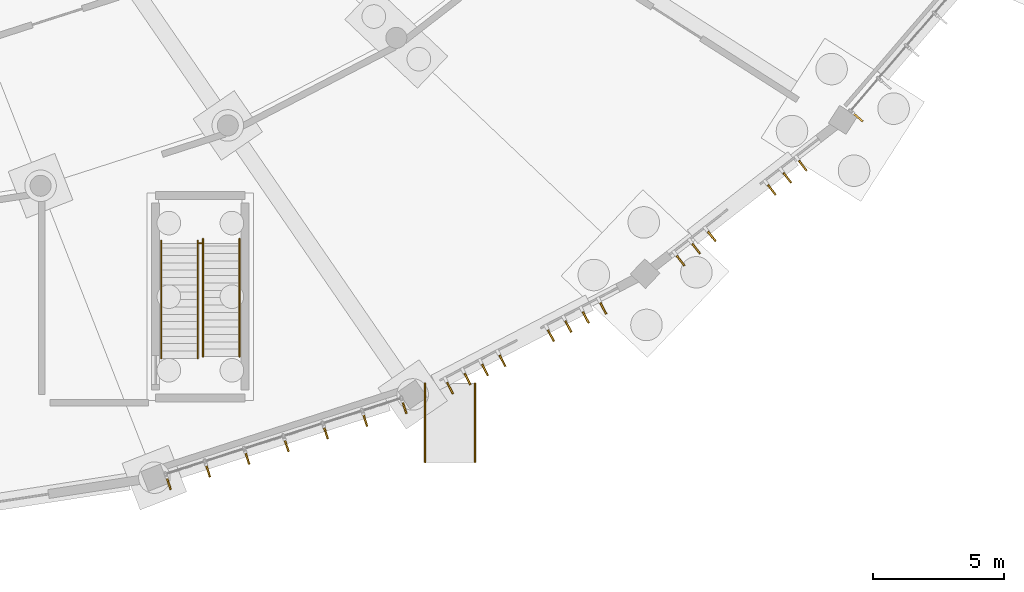
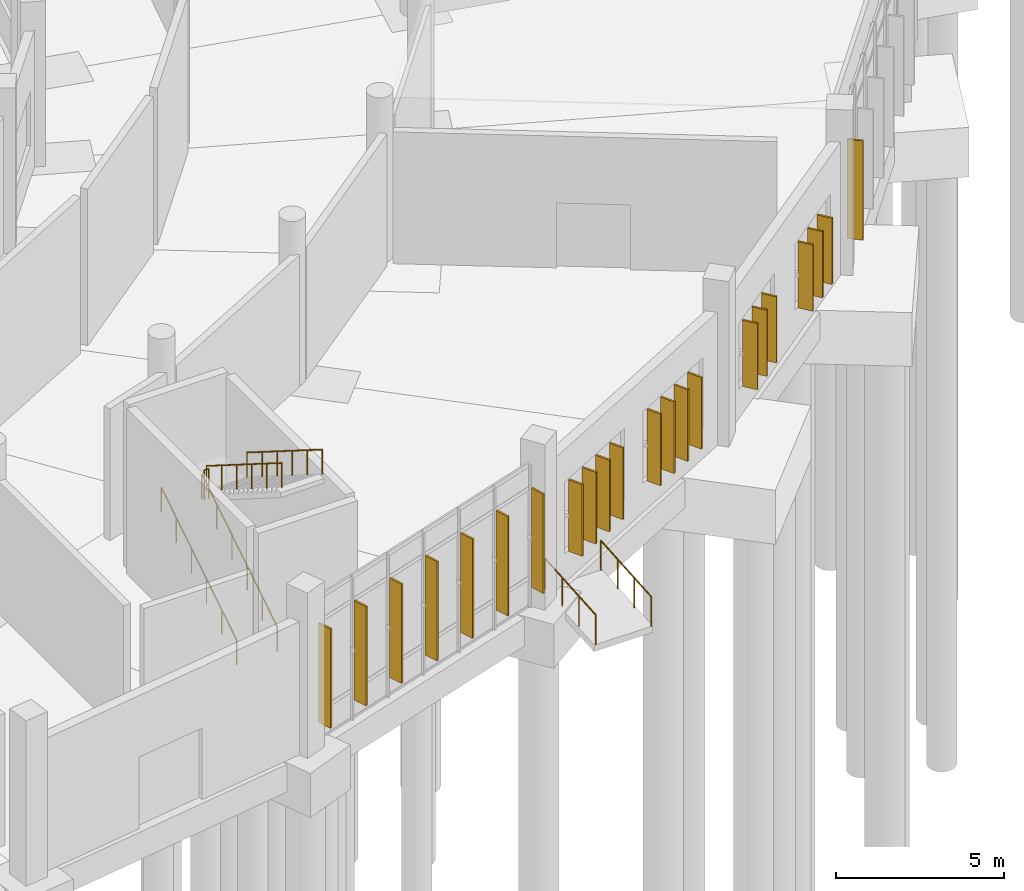
# One storey, part 122 of 140: 22 shading devices, 7 railings.
"""IFC4 building model written with IfcOpenShell, lengths in metres."""

from ifc_helpers import new_model, si_unit, direction, frame, origin, origin_2d, place, context, subcontext, project, spatial, rectangle, circle, extrude, material, layer, layer_set, type_object, element, save


model = new_model("IFC4")

# Units and contexts
model_context = context("Model", 3, precision=1e-05, world=origin(), true_north=direction((0.0, 1.0)))
body_context = subcontext(model_context, "Body", "Model", "MODEL_VIEW")
ifc_project = project(units=[si_unit("LENGTHUNIT", "METRE"), si_unit("AREAUNIT", "SQUARE_METRE"), si_unit("VOLUMEUNIT", "CUBIC_METRE"), si_unit("PLANEANGLEUNIT", "RADIAN"), si_unit("MASSUNIT", "GRAM", prefix="KILO")], contexts=[model_context])

# Site, building, storey
site_placement = place(None, origin())
site = spatial("IfcSite", under=ifc_project, at=site_placement, CompositionType="ELEMENT")
building_placement = place(site_placement, origin())
building = spatial("IfcBuilding", under=site, at=building_placement, Name="Corvandel Quay Wholesale Market", CompositionType="ELEMENT")
storey_placement = place(building_placement, origin())
storey = spatial("IfcBuildingStorey", under=building, at=storey_placement, Name="L00", CompositionType="ELEMENT", Elevation=0.0)

# Railings
ifc_material_1 = material(Name="Hot-dip galvanised painted steel", Category="steel")
ifc_layer_1 = layer(ifc_material_1, 0.06005859375)
ifc_layer_set_1 = layer_set([ifc_layer_1], Name="Hot-dip galvanised painted steel")
railing_type_1 = type_object("IfcRailingType", Name="Galvanised Steel Guard Balustrade GR01 1100mm", PredefinedType="BALUSTRADE", material=ifc_layer_set_1)
for number, where, name in (
    (1, (141.949951171875, 2.199951171875, -0.219970703125), "Produce South Arrival Ramp Guard GR-0052"),
    (2, (140.050048828125, 2.199951171875, -0.219970703125), "Produce South Arrival Ramp Guard GR-0053"),
):
    element("IfcRailing", number, at=place(storey_placement, frame(where)), inside=storey, type_object=railing_type_1, Name=name, PredefinedType="BALUSTRADE", context=body_context, shape_type="SweptSolid", body=[
        extrude(circle(Radius=0.02392578125, at=origin_2d()), frame((0.0, 0.0, 1.076171875), z_axis=(0.0, 0.997322618282, 0.073127252529), x_axis=(-1.0, 0.0, 0.0)), (0.0, 0.0, 1.0), 3.008056640625),
        extrude(circle(Radius=0.02099609375, at=origin_2d()), origin(), (0.0, 0.0, 1.0), 1.052001953125),
        extrude(circle(Radius=0.02099609375, at=origin_2d()), frame((0.0, 1.0, 0.0732421875)), (0.0, 0.0, 1.0), 1.052001953125),
        extrude(circle(Radius=0.02099609375, at=origin_2d()), frame((0.0, 2.0, 0.146728515625)), (0.0, 0.0, 1.0), 1.052001953125),
        extrude(circle(Radius=0.02099609375, at=origin_2d()), frame((0.0, 3.0, 0.219970703125)), (0.0, 0.0, 1.0), 1.052001953125),
    ])
ifc_material_2 = material(Name="Painted galvanised tubular steel", Category="steel")
ifc_layer_2 = layer(ifc_material_2, 0.054931640625)
ifc_layer_set_2 = layer_set([ifc_layer_2], Name="Painted galvanised tubular steel")
railing_type_2 = type_object("IfcRailingType", Name="Stairwell Inner Guard Railing GR02 1100mm", PredefinedType="GUARDRAIL", material=ifc_layer_set_2)
railing_placement = place(storey_placement, frame((131.419921875, 10.530029296875, 3.0)))
element("IfcRailing", 3, at=railing_placement, inside=storey, type_object=railing_type_2, Name="Stair Landing Well Guard 0039", PredefinedType="GUARDRAIL", context=body_context, shape_type="SweptSolid", body=[
    extrude(circle(Radius=0.02392578125, at=origin_2d()), frame((0.0, 0.0, 1.076171875), z_axis=(1.0, 0.0, 0.0), x_axis=(0.0, 1.0, 0.0)), (0.0, 0.0, 1.0), 0.16015625),
    extrude(circle(Radius=0.02099609375, at=origin_2d()), origin(), (0.0, 0.0, 1.0), 1.052001953125),
    extrude(circle(Radius=0.02099609375, at=origin_2d()), frame((0.16015625, 0.0, 0.0)), (0.0, 0.0, 1.0), 1.052001953125),
])
ifc_material_3 = material(Name="Brushed austenitic stainless steel Grade 316", Category="steel")
ifc_layer_3 = layer(ifc_material_3, 0.048095703125)
ifc_layer_set_3 = layer_set([ifc_layer_3], Name="Brushed austenitic stainless steel Grade 316")
railing_type_3 = type_object("IfcRailingType", Name="Tubular Stainless Stair Handrail HR01 915mm", PredefinedType="HANDRAIL", material=ifc_layer_set_3)
for number, where, name in (
    (4, (130.010009765625, 6.14990234375, 0.176513671875), "Stair Handrail 0035"),
    (5, (131.39990234375, 6.14990234375, 0.176513671875), "Stair Handrail 0036"),
):
    element("IfcRailing", number, at=place(storey_placement, frame(where)), inside=storey, type_object=railing_type_3, Name=name, PredefinedType="HANDRAIL", context=body_context, shape_type="SweptSolid", body=[
        extrude(circle(Radius=0.02392578125, at=origin_2d()), frame((0.0, 0.0, 0.89111328125), z_axis=(0.0, 0.845997938375, 0.533186166611), x_axis=(-1.0, 0.0, 0.0)), (0.0, 0.0, 1.0), 5.29541015625),
        extrude(circle(Radius=0.02099609375, at=origin_2d()), origin(), (0.0, 0.0, 1.0), 0.866943359375),
        extrude(circle(Radius=0.02099609375, at=origin_2d()), frame((0.0, 0.89599609375, 0.564697265625)), (0.0, 0.0, 1.0), 0.866943359375),
        extrude(circle(Radius=0.02099609375, at=origin_2d()), frame((0.0, 1.7919921875, 1.12939453125)), (0.0, 0.0, 1.0), 0.866943359375),
        extrude(circle(Radius=0.02099609375, at=origin_2d()), frame((0.0, 2.68798828125, 1.694091796875)), (0.0, 0.0, 1.0), 0.866943359375),
        extrude(circle(Radius=0.02099609375, at=origin_2d()), frame((0.0, 3.583984375, 2.2587890625)), (0.0, 0.0, 1.0), 0.866943359375),
        extrude(circle(Radius=0.02099609375, at=origin_2d()), frame((0.0, 4.47998046875, 2.823486328125)), (0.0, 0.0, 1.0), 0.866943359375),
    ])
for number, where, name in (
    (6, (131.60009765625, 10.699951171875, 3.176513671875), "Stair Handrail 0037"),
    (7, (132.989990234375, 10.699951171875, 3.176513671875), "Stair Handrail 0038"),
):
    element("IfcRailing", number, at=place(storey_placement, frame(where)), inside=storey, type_object=railing_type_3, Name=name, PredefinedType="HANDRAIL", context=body_context, shape_type="SweptSolid", body=[
        extrude(circle(Radius=0.02392578125, at=origin_2d()), frame((0.0, 0.0, 0.89111328125), z_axis=(0.0, -0.845997938375, 0.533186166611), x_axis=(1.0, 0.0, 0.0)), (0.0, 0.0, 1.0), 5.29541015625),
        extrude(circle(Radius=0.02099609375, at=origin_2d()), origin(), (0.0, 0.0, 1.0), 0.866943359375),
        extrude(circle(Radius=0.02099609375, at=origin_2d()), frame((0.0, -0.89599609375, 0.564697265625)), (0.0, 0.0, 1.0), 0.866943359375),
        extrude(circle(Radius=0.02099609375, at=origin_2d()), frame((0.0, -1.7919921875, 1.12939453125)), (0.0, 0.0, 1.0), 0.866943359375),
        extrude(circle(Radius=0.02099609375, at=origin_2d()), frame((0.0, -2.68798828125, 1.694091796875)), (0.0, 0.0, 1.0), 0.866943359375),
        extrude(circle(Radius=0.02099609375, at=origin_2d()), frame((0.0, -3.583984375, 2.2587890625)), (0.0, 0.0, 1.0), 0.866943359375),
        extrude(circle(Radius=0.02099609375, at=origin_2d()), frame((0.0, -4.47998046875, 2.823486328125)), (0.0, 0.0, 1.0), 0.866943359375),
    ])

# Shading devices
ifc_material_4 = material(Name="Bronze anodised extruded aluminium 6063-T6", Category="aluminium")
shading_device_type = type_object("IfcShadingDeviceType", Name="Vertical Anodised Bronze Solar Fin FN01 480mm", PredefinedType="JALOUSIE", material=ifc_material_4)
for number, where, z_axis, x_axis, name in (
    (8, (130.2958984375, 1.390380859375, 0.77490234375), (0.0, 0.0, 1.0), (-0.306692204733, 0.951808747363, 0.0), "Solar Fin 0166"),
    (9, (131.791015625, 1.8720703125, 0.77490234375), (0.0, 0.0, 1.0), (-0.306692204733, 0.951808747363, 0.0), "Solar Fin 0167"),
    (10, (133.286376953125, 2.353515625, 0.77490234375), (0.0, 0.0, 1.0), (-0.306692204733, 0.951808747363, 0.0), "Solar Fin 0168"),
    (11, (134.781494140625, 2.835205078125, 0.77490234375), (0.0, 0.0, 1.0), (-0.306692204733, 0.951808747363, 0.0), "Solar Fin 0169"),
    (12, (136.276611328125, 3.31689453125, 0.77490234375), (0.0, 0.0, 1.0), (-0.306692204733, 0.951808747363, 0.0), "Solar Fin 0170"),
    (13, (137.77197265625, 3.798583984375, 0.77490234375), (0.0, 0.0, 1.0), (-0.306692204733, 0.951808747363, 0.0), "Solar Fin 0171"),
    (14, (139.26708984375, 4.2802734375, 0.77490234375), (0.0, 0.0, 1.0), (-0.306692204733, 0.951808747363, 0.0), "Solar Fin 0172"),
):
    element("IfcShadingDevice", number, at=place(storey_placement, frame(where, z_axis=z_axis, x_axis=x_axis)), inside=storey, type_object=shading_device_type, Name=name, PredefinedType="JALOUSIE", context=body_context, shape_type="SweptSolid", body=[
        extrude(rectangle(XDim=0.47998046875, YDim=0.06494140625, at=origin_2d()), origin(), (0.0, 0.0, 1.0), 3.60009765625),
    ])
for number, where, z_axis, x_axis, name in (
    (15, (140.99755859375, 5.021240234375, 1.050048828125), (0.0, 0.0, 1.0), (-0.461129250378, 0.887332978338, 0.0), "Solar Fin 0181"),
    (16, (141.6630859375, 5.3671875, 1.050048828125), (0.0, 0.0, 1.0), (-0.461129250378, 0.887332978338, 0.0), "Solar Fin 0182"),
    (17, (142.32861328125, 5.712890625, 1.050048828125), (0.0, 0.0, 1.0), (-0.461129250378, 0.887332978338, 0.0), "Solar Fin 0183"),
    (18, (142.994140625, 6.058837890625, 1.050048828125), (0.0, 0.0, 1.0), (-0.461129250378, 0.887332978338, 0.0), "Solar Fin 0184"),
    (19, (144.837158203125, 7.0166015625, 1.050048828125), (0.0, 0.0, 1.0), (-0.461129250378, 0.887332978338, 0.0), "Solar Fin 0185"),
    (20, (145.502685546875, 7.362548828125, 1.050048828125), (0.0, 0.0, 1.0), (-0.461129250378, 0.887332978338, 0.0), "Solar Fin 0186"),
    (21, (146.168212890625, 7.708251953125, 1.050048828125), (0.0, 0.0, 1.0), (-0.461129250378, 0.887332978338, 0.0), "Solar Fin 0187"),
    (22, (146.83349609375, 8.05419921875, 1.050048828125), (0.0, 0.0, 1.0), (-0.461129250378, 0.887332978338, 0.0), "Solar Fin 0188"),
):
    element("IfcShadingDevice", number, at=place(storey_placement, frame(where, z_axis=z_axis, x_axis=x_axis)), inside=storey, type_object=shading_device_type, Name=name, PredefinedType="JALOUSIE", context=body_context, shape_type="SweptSolid", body=[
        extrude(rectangle(XDim=0.47998046875, YDim=0.06494140625, at=origin_2d()), origin(), (0.0, 0.0, 1.0), 2.60009765625),
    ])
for number, where, z_axis, x_axis, name in (
    (23, (149.7744140625, 9.869873046875, 1.050048828125), (0.0, 0.0, 1.0), (-0.614009720373, 0.789298462742, 0.0), "Solar Fin 0198"),
    (24, (150.366455078125, 10.330322265625, 1.050048828125), (0.0, 0.0, 1.0), (-0.614009720373, 0.789298462742, 0.0), "Solar Fin 0199"),
    (25, (150.95849609375, 10.790771484375, 1.050048828125), (0.0, 0.0, 1.0), (-0.614009720373, 0.789298462742, 0.0), "Solar Fin 0200"),
    (26, (153.23974609375, 12.565185546875, 1.050048828125), (0.0, 0.0, 1.0), (-0.614009720373, 0.789298462742, 0.0), "Solar Fin 0201"),
    (27, (153.831787109375, 13.025634765625, 1.050048828125), (0.0, 0.0, 1.0), (-0.614009720373, 0.789298462742, 0.0), "Solar Fin 0202"),
    (28, (154.423583984375, 13.486083984375, 1.050048828125), (0.0, 0.0, 1.0), (-0.614009720373, 0.789298462742, 0.0), "Solar Fin 0203"),
):
    element("IfcShadingDevice", number, at=place(storey_placement, frame(where, z_axis=z_axis, x_axis=x_axis)), inside=storey, type_object=shading_device_type, Name=name, PredefinedType="JALOUSIE", context=body_context, shape_type="SweptSolid", body=[
        extrude(rectangle(XDim=0.47998046875, YDim=0.06494140625, at=origin_2d()), origin(), (0.0, 0.0, 1.0), 2.39990234375),
    ])
shading_device_placement = place(storey_placement, frame((156.526611328125, 15.32080078125, 0.77490234375), z_axis=(0.0, 0.0, 1.0), x_axis=(-0.758589401976, 0.651568967347, 0.0)))
element("IfcShadingDevice", 29, at=shading_device_placement, inside=storey, type_object=shading_device_type, Name="Solar Fin 0217", PredefinedType="JALOUSIE", context=body_context, shape_type="SweptSolid", body=[
    extrude(rectangle(XDim=0.47998046875, YDim=0.06494140625, at=origin_2d()), origin(), (0.0, 0.0, 1.0), 3.60009765625),
])

save(model, "model.ifc")
